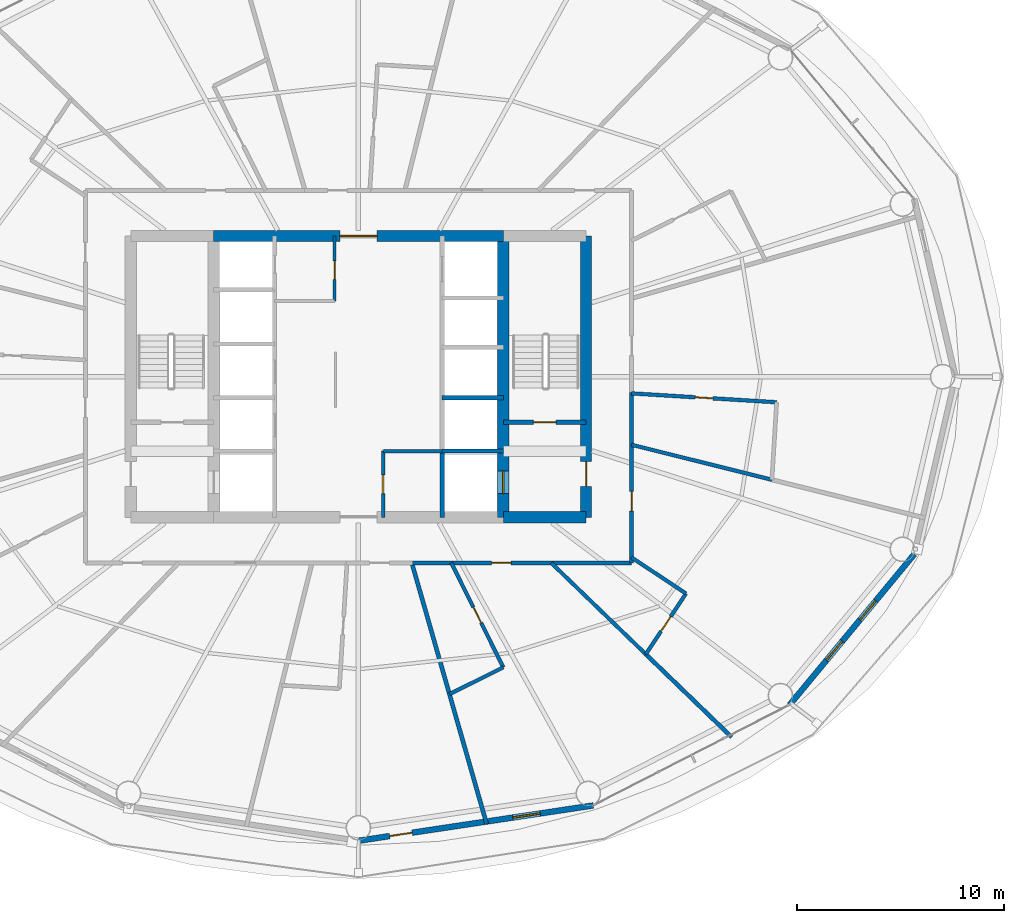
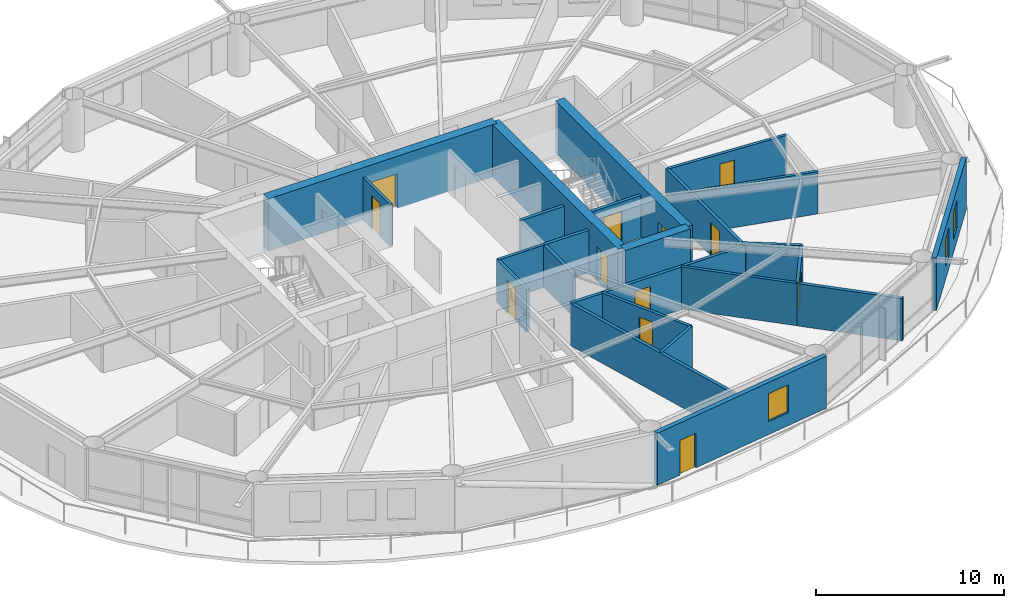
# One storey, part 19 of 24: 24 walls, 12 doors, 3 windows, 15 openings.
"""IFC4 building model written with IfcOpenShell, lengths in metres."""

from ifc_helpers import new_model, si_unit, direction, frame, frame_2d, origin, place, context, subcontext, project, spatial, rectangle, extrude, material, layer, layer_set, type_object, element, fill, save


model = new_model("IFC4")

# Units and contexts
model_context = context("Model", 3, precision=1e-05, world=origin(), true_north=direction((0.0, 1.0)))
body_context = subcontext(model_context, "Body", "Model", "MODEL_VIEW")
ifc_project = project(units=[si_unit("LENGTHUNIT", "METRE"), si_unit("AREAUNIT", "SQUARE_METRE"), si_unit("VOLUMEUNIT", "CUBIC_METRE"), si_unit("PLANEANGLEUNIT", "RADIAN"), si_unit("MASSUNIT", "GRAM", prefix="KILO")], contexts=[model_context])

# Site, building, storey
site_placement = place(None, origin())
site = spatial("IfcSite", under=ifc_project, at=site_placement, CompositionType="ELEMENT")
building_placement = place(site_placement, origin())
building = spatial("IfcBuilding", under=site, at=building_placement, Name="Sarneth Arch Tower", CompositionType="ELEMENT")
storey_placement = place(building_placement, frame((0.0, 0.0, 94.800048828125)))
storey = spatial("IfcBuildingStorey", under=building, at=storey_placement, Name="L23", CompositionType="ELEMENT", Elevation=94.800048828125)

# Wall
ifc_material_1 = material(Name="Concrete C60/75", Category="concrete")
ifc_layer_1 = layer(ifc_material_1, 0.550048828125)
ifc_layer_set_1 = layer_set([ifc_layer_1], Name="Concrete C60/75")
wall_type_1 = type_object("IfcWallType", Name="WALL-CORE-550", PredefinedType="SHEAR", material=ifc_layer_set_1)
wall_1_placement = place(storey_placement, frame((55.0, 35.199951171875, 0.0), z_axis=(0.0, 0.0, 1.0), x_axis=(1.0, 0.0, 0.0)))
element("IfcWall", 1, at=wall_1_placement, inside=storey, type_object=wall_type_1, Name="L23 Core shear wall S-E", PredefinedType="SHEAR", context=body_context, shape_type="SweptSolid", body=[
    extrude(rectangle(XDim=4.0, YDim=0.550048828125, at=frame_2d((2.0, 0.0))), origin(), (0.0, 0.0, 1.0), 3.3798828125),
])

# Wall, opening, door
wall_2_placement = place(storey_placement, frame((41.0, 48.800048828125, 0.0), z_axis=(0.0, 0.0, 1.0), x_axis=(1.0, 0.0, 0.0)))
wall_2 = element("IfcWall", 2, at=wall_2_placement, inside=storey, type_object=wall_type_1, Name="L23 Core shear wall N-M", PredefinedType="SHEAR", context=body_context, shape_type="SweptSolid", body=[
    extrude(rectangle(XDim=14.0, YDim=0.550048828125, at=frame_2d((7.0, 0.0))), origin(), (0.0, 0.0, 1.0), 3.3798828125),
])
opening_1_placement = place(wall_2_placement, frame((6.10009765625, 0.0, 0.0)))
opening_1 = element("IfcOpeningElement", 3, at=opening_1_placement, cuts=wall_2, Name="Opening FD-01", PredefinedType="OPENING", context=body_context, shape_type="SweptSolid", body=[
    extrude(rectangle(XDim=1.800048828125, YDim=2.25, at=frame_2d((0.89990234375, 1.125))), frame((0.0, 0.284912109375, 0.0), z_axis=(0.0, -1.0, 0.0), x_axis=(1.0, 0.0, 0.0)), (0.0, 0.0, 1.0), 0.570068359375),
])
ifc_material_2 = material(Name="Galvanised Steel S275 fire door set", Category="steel")
door_type_1 = type_object("IfcDoorType", Name="DR-FD90-1800", OperationType="DOUBLE_DOOR_SINGLE_SWING", PredefinedType="DOOR", material=ifc_material_2)
door_1_placement = place(opening_1_placement, origin())
door_1 = element("IfcDoor", 4, at=door_1_placement, inside=storey, type_object=door_type_1, Name="L23 Central lift lobby north door", OperationType="DOUBLE_DOOR_SINGLE_SWING", OverallHeight=2.25, OverallWidth=1.800048828125, PredefinedType="DOOR", context=body_context, shape_type="SweptSolid", body=[
    extrude(rectangle(XDim=1.800048828125, YDim=2.25, at=frame_2d((0.89990234375, 1.125))), frame((0.0, 0.02490234375, 0.0), z_axis=(0.0, -1.0, 0.0), x_axis=(1.0, 0.0, 0.0)), (0.0, 0.0, 1.0), 0.050048828125),
])
fill(opening_1, door_1)

wall_3_placement = place(storey_placement, frame((59.0, 35.199951171875, 0.0), z_axis=(0.0, 0.0, 1.0), x_axis=(0.0, 1.0, 0.0)))
wall_3 = element("IfcWall", 5, at=wall_3_placement, inside=storey, type_object=wall_type_1, Name="L23 Core shear wall E", PredefinedType="SHEAR", context=body_context, shape_type="SweptSolid", body=[
    extrude(rectangle(XDim=13.60009765625, YDim=0.550048828125, at=frame_2d((6.800048828125, 0.0))), origin(), (0.0, 0.0, 1.0), 3.3798828125),
])
opening_2_placement = place(wall_3_placement, frame((1.5, 0.0, 0.0)))
opening_2 = element("IfcOpeningElement", 6, at=opening_2_placement, cuts=wall_3, Name="Opening FD-02", PredefinedType="OPENING", context=body_context, shape_type="SweptSolid", body=[
    extrude(rectangle(XDim=1.199951171875, YDim=2.14990234375, at=frame_2d((0.60009765625, 1.074951171875))), frame((0.0, 0.284912109375, 0.0), z_axis=(0.0, -1.0, 0.0), x_axis=(1.0, 0.0, 0.0)), (0.0, 0.0, 1.0), 0.570068359375),
])
ifc_material_3 = material(Name="Galvanised Steel S275 fire door set", Category="steel")
door_type_2 = type_object("IfcDoorType", Name="DR-FD90-1200", OperationType="SINGLE_SWING_LEFT", PredefinedType="DOOR", material=ifc_material_3)
door_2_placement = place(opening_2_placement, origin())
door_2 = element("IfcDoor", 7, at=door_2_placement, inside=storey, type_object=door_type_2, Name="L23 Firefighting lobby 2 exit door", OperationType="SINGLE_SWING_RIGHT", OverallHeight=2.14990234375, OverallWidth=1.199951171875, PredefinedType="DOOR", context=body_context, shape_type="SweptSolid", body=[
    extrude(rectangle(XDim=1.199951171875, YDim=2.14990234375, at=frame_2d((0.60009765625, 1.074951171875))), frame((0.0, 0.02490234375, 0.0), z_axis=(0.0, -1.0, 0.0), x_axis=(1.0, 0.0, 0.0)), (0.0, 0.0, 1.0), 0.050048828125),
])
fill(opening_2, door_2)

wall_4_placement = place(storey_placement, frame((55.0, 35.199951171875, 0.0), z_axis=(0.0, 0.0, 1.0), x_axis=(0.0, 1.0, 0.0)))
wall_4 = element("IfcWall", 8, at=wall_4_placement, inside=storey, type_object=wall_type_1, Name="L23 Core shear wall WEB-E", PredefinedType="SHEAR", context=body_context, shape_type="SweptSolid", body=[
    extrude(rectangle(XDim=13.60009765625, YDim=0.550048828125, at=frame_2d((6.800048828125, 0.0))), origin(), (0.0, 0.0, 1.0), 3.3798828125),
])
opening_3_placement = place(wall_4_placement, frame((1.14990234375, 0.0, 0.0)))
opening_3 = element("IfcOpeningElement", 9, at=opening_3_placement, cuts=wall_4, Name="Opening LD-1", PredefinedType="OPENING", context=body_context, shape_type="SweptSolid", body=[
    extrude(rectangle(XDim=1.10009765625, YDim=2.199951171875, at=frame_2d((0.550048828125, 1.10009765625))), frame((0.0, 0.284912109375, 0.0), z_axis=(0.0, -1.0, 0.0), x_axis=(1.0, 0.0, 0.0)), (0.0, 0.0, 1.0), 0.570068359375),
])
ifc_material_4 = material(Name="Brushed Stainless Steel 304 lift landing door", Category="steel")
door_type_3 = type_object("IfcDoorType", Name="DR-LIFT-SLIDE-1100", OperationType="SLIDING_TO_LEFT", PredefinedType="DOOR", material=ifc_material_4)
door_3_placement = place(opening_3_placement, origin())
door_3 = element("IfcDoor", 10, at=door_3_placement, inside=storey, type_object=door_type_3, Name="L23 Firefighting lift landing door FL-2", OperationType="SLIDING_TO_RIGHT", OverallHeight=2.199951171875, OverallWidth=1.10009765625, PredefinedType="DOOR", context=body_context, shape_type="SweptSolid", body=[
    extrude(rectangle(XDim=1.10009765625, YDim=2.199951171875, at=frame_2d((0.550048828125, 1.10009765625))), frame((0.0, 0.02490234375, 0.0), z_axis=(0.0, -1.0, 0.0), x_axis=(1.0, 0.0, 0.0)), (0.0, 0.0, 1.0), 0.050048828125),
])
fill(opening_3, door_3)

ifc_material_5 = material(Name="Double steel-stud corridor fire wall", Category="steel")
ifc_layer_2 = layer(ifc_material_5, 0.18994140625)
ifc_layer_set_2 = layer_set([ifc_layer_2], Name="Double steel-stud corridor fire wall")
wall_type_2 = type_object("IfcWallType", Name="WALL-CORR-190", PredefinedType="PARTITIONING", material=ifc_layer_set_2)
wall_5_placement = place(storey_placement, frame((61.199951171875, 41.224853515625, 0.0), z_axis=(0.0, 0.0, 1.0), x_axis=(0.0, -1.0, 0.0)))
wall_5 = element("IfcWall", 11, at=wall_5_placement, inside=storey, type_object=wall_type_2, Name="L23 Interior partition W-L23-TP-022", PredefinedType="PARTITIONING", context=body_context, shape_type="SweptSolid", body=[
    extrude(rectangle(XDim=8.224853515625, YDim=0.18994140625, at=frame_2d((4.1123046875, 0.0))), origin(), (0.0, 0.0, 1.0), 2.739990234375),
])
opening_4_placement = place(wall_5_placement, frame((4.7666015625, 0.0, 0.0)))
opening_4 = element("IfcOpeningElement", 12, at=opening_4_placement, cuts=wall_5, Name="Opening FD-09", PredefinedType="OPENING", context=body_context, shape_type="SweptSolid", body=[
    extrude(rectangle(XDim=0.949951171875, YDim=2.14990234375, at=frame_2d((0.47509765625, 1.074951171875))), frame((0.0, 0.10498046875, 0.0), z_axis=(0.0, -1.0, 0.0), x_axis=(1.0, 0.0, 0.0)), (0.0, 0.0, 1.0), 0.2099609375),
])
ifc_material_6 = material(Name="Hardwood timber hotel entrance fire door", Category="wood")
door_type_4 = type_object("IfcDoorType", Name="DR-FD60-950", OperationType="SINGLE_SWING_RIGHT", PredefinedType="DOOR", material=ifc_material_6)
door_4_placement = place(opening_4_placement, origin())
door_4 = element("IfcDoor", 13, at=door_4_placement, inside=storey, type_object=door_type_4, Name="L23 Interior door DR-L23-KEY-11", OperationType="SINGLE_SWING_RIGHT", OverallHeight=2.14990234375, OverallWidth=0.949951171875, PredefinedType="DOOR", context=body_context, shape_type="SweptSolid", body=[
    extrude(rectangle(XDim=0.949951171875, YDim=2.14990234375, at=frame_2d((0.47509765625, 1.074951171875))), frame((0.0, 0.02490234375, 0.0), z_axis=(0.0, -1.0, 0.0), x_axis=(1.0, 0.0, 0.0)), (0.0, 0.0, 1.0), 0.050048828125),
])
fill(opening_4, door_4)

wall_6_placement = place(storey_placement, frame((61.199951171875, 33.0, 0.0), z_axis=(0.0, 0.0, 1.0), x_axis=(-1.0, 0.0, 0.0)))
wall_6 = element("IfcWall", 14, at=wall_6_placement, inside=storey, type_object=wall_type_2, Name="L23 Interior partition W-L23-TP-020", PredefinedType="PARTITIONING", context=body_context, shape_type="SweptSolid", body=[
    extrude(rectangle(XDim=10.652587890625, YDim=0.18994140625, at=frame_2d((5.326171875, 0.0))), origin(), (0.0, 0.0, 1.0), 2.739990234375),
])
opening_5_placement = place(wall_6_placement, frame((5.81640625, 0.0, 0.0)))
opening_5 = element("IfcOpeningElement", 15, at=opening_5_placement, cuts=wall_6, Name="Opening FD-09", PredefinedType="OPENING", context=body_context, shape_type="SweptSolid", body=[
    extrude(rectangle(XDim=0.949951171875, YDim=2.14990234375, at=frame_2d((0.47509765625, 1.074951171875))), frame((0.0, 0.10498046875, 0.0), z_axis=(0.0, -1.0, 0.0), x_axis=(1.0, 0.0, 0.0)), (0.0, 0.0, 1.0), 0.2099609375),
])
door_5_placement = place(opening_5_placement, origin())
door_5 = element("IfcDoor", 16, at=door_5_placement, inside=storey, type_object=door_type_4, Name="L23 Interior door DR-L23-KEY-10", OperationType="SINGLE_SWING_RIGHT", OverallHeight=2.14990234375, OverallWidth=0.949951171875, PredefinedType="DOOR", context=body_context, shape_type="SweptSolid", body=[
    extrude(rectangle(XDim=0.949951171875, YDim=2.14990234375, at=frame_2d((0.47509765625, 1.074951171875))), frame((0.0, 0.02490234375, 0.0), z_axis=(0.0, -1.0, 0.0), x_axis=(1.0, 0.0, 0.0)), (0.0, 0.0, 1.0), 0.050048828125),
])
fill(opening_5, door_5)

# Wall, openings, door, window
ifc_material_7 = material(Name="Extruded terracotta rainscreen on Concrete C40/50 backing", Category="masonry")
ifc_layer_3 = layer(ifc_material_7, 0.280029296875)
ifc_layer_set_3 = layer_set([ifc_layer_3], Name="Extruded terracotta rainscreen on Concrete C40/50 backing")
wall_type_3 = type_object("IfcWallType", Name="WALL-EXT-TERRA-280", PredefinedType="SOLIDWALL", material=ifc_layer_set_3)
wall_7_placement = place(storey_placement, frame((48.0, 19.570068359375, 0.0), z_axis=(0.0, 0.0, 1.0), x_axis=(0.988877774656, 0.148730450117, 0.0)))
wall_7 = element("IfcWall", 17, at=wall_7_placement, inside=storey, type_object=wall_type_3, Name="L23 Terracotta perimeter wall 13", PredefinedType="SOLIDWALL", context=body_context, shape_type="SweptSolid", body=[
    extrude(rectangle(XDim=11.47900390625, YDim=0.280029296875, at=frame_2d((5.739501953125, 0.0))), origin(), (0.0, 0.0, 1.0), 3.3798828125),
])
opening_6_placement = place(wall_7_placement, frame((1.523681640625, 0.0, 0.0)))
opening_6 = element("IfcOpeningElement", 18, at=opening_6_placement, cuts=wall_7, Name="Opening BD-3", PredefinedType="OPENING", context=body_context, shape_type="SweptSolid", body=[
    extrude(rectangle(XDim=1.10009765625, YDim=2.25, at=frame_2d((0.550048828125, 1.125))), frame((0.0, 0.14990234375, 0.0), z_axis=(0.0, -1.0, 0.0), x_axis=(1.0, 0.0, 0.0)), (0.0, 0.0, 1.0), 0.300048828125),
])
opening_7_placement = place(wall_7_placement, frame((7.5390625, 0.0, 0.85009765625)))
opening_7 = element("IfcOpeningElement", 19, at=opening_7_placement, cuts=wall_7, Name="Opening W-08", PredefinedType="OPENING", context=body_context, shape_type="SweptSolid", body=[
    extrude(rectangle(XDim=1.35009765625, YDim=1.800048828125, at=frame_2d((0.675048828125, 0.89990234375))), frame((0.0, 0.14990234375, 0.0), z_axis=(0.0, -1.0, 0.0), x_axis=(1.0, 0.0, 0.0)), (0.0, 0.0, 1.0), 0.300048828125),
])
ifc_material_8 = material(Name="Thermally broken Aluminium 6063-T6 and laminated safety glass", Category="aluminium")
door_type_5 = type_object("IfcDoorType", Name="DR-BALC-GLZ-1100", OperationType="SINGLE_SWING_LEFT", PredefinedType="DOOR", material=ifc_material_8)
door_6_placement = place(opening_6_placement, origin())
door_6 = element("IfcDoor", 20, at=door_6_placement, inside=storey, type_object=door_type_5, Name="L23 Balcony glazed door 13", OperationType="SINGLE_SWING_LEFT", OverallHeight=2.25, OverallWidth=1.10009765625, PredefinedType="DOOR", context=body_context, shape_type="SweptSolid", body=[
    extrude(rectangle(XDim=1.10009765625, YDim=2.25, at=frame_2d((0.550048828125, 1.125))), frame((0.0, 0.02490234375, 0.0), z_axis=(0.0, -1.0, 0.0), x_axis=(1.0, 0.0, 0.0)), (0.0, 0.0, 1.0), 0.050048828125),
])
fill(opening_6, door_6)
ifc_material_9 = material(Name="Thermally broken Aluminium 6063-T6 and low-e laminated IGU", Category="aluminium")
window_type_1 = type_object("IfcWindowType", Name="WIN-TWR-1350x1800", PartitioningType="SINGLE_PANEL", PredefinedType="WINDOW", material=ifc_material_9)
window_1_placement = place(opening_7_placement, origin())
window_1 = element("IfcWindow", 21, at=window_1_placement, inside=storey, type_object=window_type_1, Name="L23 Exterior window 13A", OverallHeight=1.800048828125, OverallWidth=1.35009765625, PartitioningType="SINGLE_PANEL", PredefinedType="WINDOW", context=body_context, shape_type="SweptSolid", body=[
    extrude(rectangle(XDim=1.35009765625, YDim=1.800048828125, at=frame_2d((0.675048828125, 0.89990234375))), frame((0.0, 0.030029296875, 0.0), z_axis=(0.0, -1.0, 0.0), x_axis=(1.0, 0.0, 0.0)), (0.0, 0.0, 1.0), 0.06005859375),
])
fill(opening_7, window_1)

# Wall, openings, windows
wall_8_placement = place(storey_placement, frame((68.840087890625, 26.1396484375, 0.0), z_axis=(0.0, 0.0, 1.0), x_axis=(0.637505817448, 0.770445541696, 0.0)))
wall_8 = element("IfcWall", 22, at=wall_8_placement, inside=storey, type_object=wall_type_3, Name="L23 Terracotta perimeter wall 15", PredefinedType="SOLIDWALL", context=body_context, shape_type="SweptSolid", body=[
    extrude(rectangle(XDim=9.445068359375, YDim=0.280029296875, at=frame_2d((4.72265625, 0.0))), origin(), (0.0, 0.0, 1.0), 3.3798828125),
])
opening_8_placement = place(wall_8_placement, frame((2.796630859375, 0.0, 0.85009765625)))
opening_8 = element("IfcOpeningElement", 23, at=opening_8_placement, cuts=wall_8, Name="Opening W-09", PredefinedType="OPENING", context=body_context, shape_type="SweptSolid", body=[
    extrude(rectangle(XDim=1.199951171875, YDim=1.800048828125, at=frame_2d((0.60009765625, 0.89990234375))), frame((0.0, 0.14990234375, 0.0), z_axis=(0.0, -1.0, 0.0), x_axis=(1.0, 0.0, 0.0)), (0.0, 0.0, 1.0), 0.300048828125),
])
opening_9_placement = place(wall_8_placement, frame((5.331787109375, 0.0, 0.85009765625)))
opening_9 = element("IfcOpeningElement", 24, at=opening_9_placement, cuts=wall_8, Name="Opening W-09", PredefinedType="OPENING", context=body_context, shape_type="SweptSolid", body=[
    extrude(rectangle(XDim=1.199951171875, YDim=1.800048828125, at=frame_2d((0.60009765625, 0.89990234375))), frame((0.0, 0.14990234375, 0.0), z_axis=(0.0, -1.0, 0.0), x_axis=(1.0, 0.0, 0.0)), (0.0, 0.0, 1.0), 0.300048828125),
])
ifc_material_10 = material(Name="Thermally broken Aluminium 6063-T6 and low-e laminated IGU", Category="aluminium")
window_type_2 = type_object("IfcWindowType", Name="WIN-TWR-1200x1800", PartitioningType="SINGLE_PANEL", PredefinedType="WINDOW", material=ifc_material_10)
window_2_placement = place(opening_8_placement, origin())
window_2 = element("IfcWindow", 25, at=window_2_placement, inside=storey, type_object=window_type_2, Name="L23 Exterior window 15A", OverallHeight=1.800048828125, OverallWidth=1.199951171875, PartitioningType="SINGLE_PANEL", PredefinedType="WINDOW", context=body_context, shape_type="SweptSolid", body=[
    extrude(rectangle(XDim=1.199951171875, YDim=1.800048828125, at=frame_2d((0.60009765625, 0.89990234375))), frame((0.0, 0.030029296875, 0.0), z_axis=(0.0, -1.0, 0.0), x_axis=(1.0, 0.0, 0.0)), (0.0, 0.0, 1.0), 0.06005859375),
])
fill(opening_8, window_2)
window_3_placement = place(opening_9_placement, origin())
window_3 = element("IfcWindow", 26, at=window_3_placement, inside=storey, type_object=window_type_2, Name="L23 Exterior window 15B", OverallHeight=1.800048828125, OverallWidth=1.199951171875, PartitioningType="SINGLE_PANEL", PredefinedType="WINDOW", context=body_context, shape_type="SweptSolid", body=[
    extrude(rectangle(XDim=1.199951171875, YDim=1.800048828125, at=frame_2d((0.60009765625, 0.89990234375))), frame((0.0, 0.030029296875, 0.0), z_axis=(0.0, -1.0, 0.0), x_axis=(1.0, 0.0, 0.0)), (0.0, 0.0, 1.0), 0.06005859375),
])
fill(opening_9, window_3)

# Wall, opening, door
ifc_material_11 = material(Name="Acoustic gypsum stud partition", Category="gypsum")
ifc_layer_4 = layer(ifc_material_11, 0.14990234375)
ifc_layer_set_4 = layer_set([ifc_layer_4], Name="Acoustic gypsum stud partition")
wall_type_4 = type_object("IfcWallType", Name="WALL-PART-150", PredefinedType="PARTITIONING", material=ifc_layer_set_4)
wall_9_placement = place(storey_placement, frame((46.85009765625, 45.64990234375, 0.0), z_axis=(0.0, 0.0, 1.0), x_axis=(0.0, 1.0, 0.0)))
wall_9 = element("IfcWall", 27, at=wall_9_placement, inside=storey, type_object=wall_type_4, Name="L23 Interior partition W-L23-CSUP1-E", PredefinedType="PARTITIONING", context=body_context, shape_type="SweptSolid", body=[
    extrude(rectangle(XDim=3.150146484375, YDim=0.14990234375, at=frame_2d((1.5751953125, 0.0))), origin(), (0.0, 0.0, 1.0), 2.739990234375),
])
opening_10_placement = place(wall_9_placement, frame((1.050048828125, 0.0, 0.0)))
opening_10 = element("IfcOpeningElement", 28, at=opening_10_placement, cuts=wall_9, Name="Opening FD-10", PredefinedType="OPENING", context=body_context, shape_type="SweptSolid", body=[
    extrude(rectangle(XDim=0.89990234375, YDim=2.14990234375, at=frame_2d((0.449951171875, 1.074951171875))), frame((0.0, 0.0849609375, 0.0), z_axis=(0.0, -1.0, 0.0), x_axis=(1.0, 0.0, 0.0)), (0.0, 0.0, 1.0), 0.169921875),
])
ifc_material_12 = material(Name="Galvanised Steel S275 riser/service fire door", Category="steel")
door_type_6 = type_object("IfcDoorType", Name="DR-FD60-900", OperationType="SINGLE_SWING_LEFT", PredefinedType="DOOR", material=ifc_material_12)
door_7_placement = place(opening_10_placement, origin())
door_7 = element("IfcDoor", 29, at=door_7_placement, inside=storey, type_object=door_type_6, Name="L23 Interior door DR-L23-CSUP1", OperationType="SINGLE_SWING_LEFT", OverallHeight=2.14990234375, OverallWidth=0.89990234375, PredefinedType="DOOR", context=body_context, shape_type="SweptSolid", body=[
    extrude(rectangle(XDim=0.89990234375, YDim=2.14990234375, at=frame_2d((0.449951171875, 1.074951171875))), frame((0.0, 0.02490234375, 0.0), z_axis=(0.0, -1.0, 0.0), x_axis=(1.0, 0.0, 0.0)), (0.0, 0.0, 1.0), 0.050048828125),
])
fill(opening_10, door_7)

# Wall
ifc_material_13 = material(Name="Moisture-resistant plumbing chase wall", Category="gypsum")
ifc_layer_5 = layer(ifc_material_13, 0.179931640625)
ifc_layer_set_5 = layer_set([ifc_layer_5], Name="Moisture-resistant plumbing chase wall")
wall_type_5 = type_object("IfcWallType", Name="WALL-PLUMB-180", PredefinedType="PLUMBINGWALL", material=ifc_layer_set_5)
wall_10_placement = place(storey_placement, frame((49.199951171875, 38.39990234375, 0.0), z_axis=(0.0, 0.0, 1.0), x_axis=(1.0, 0.0, 0.0)))
element("IfcWall", 30, at=wall_10_placement, inside=storey, type_object=wall_type_5, Name="L23 Interior partition W-L23-AWC-N", PredefinedType="PLUMBINGWALL", context=body_context, shape_type="SweptSolid", body=[
    extrude(rectangle(XDim=2.85009765625, YDim=0.179931640625, at=frame_2d((1.425048828125, 0.0))), origin(), (0.0, 0.0, 1.0), 2.739990234375),
])

# Wall, opening, door
wall_11_placement = place(storey_placement, frame((49.199951171875, 35.199951171875, 0.0), z_axis=(0.0, 0.0, 1.0), x_axis=(0.0, 1.0, 0.0)))
wall_11 = element("IfcWall", 31, at=wall_11_placement, inside=storey, type_object=wall_type_5, Name="L23 Interior partition W-L23-AWC-W", PredefinedType="PLUMBINGWALL", context=body_context, shape_type="SweptSolid", body=[
    extrude(rectangle(XDim=3.199951171875, YDim=0.179931640625, at=frame_2d((1.60009765625, 0.0))), origin(), (0.0, 0.0, 1.0), 2.739990234375),
])
opening_11_placement = place(wall_11_placement, frame((1.14990234375, 0.0, 0.0)))
opening_11 = element("IfcOpeningElement", 32, at=opening_11_placement, cuts=wall_11, Name="Opening ID-01", PredefinedType="OPENING", context=body_context, shape_type="SweptSolid", body=[
    extrude(rectangle(XDim=0.89990234375, YDim=2.10009765625, at=frame_2d((0.449951171875, 1.050048828125))), frame((0.0, 0.099853515625, 0.0), z_axis=(0.0, -1.0, 0.0), x_axis=(1.0, 0.0, 0.0)), (0.0, 0.0, 1.0), 0.199951171875),
])
ifc_material_14 = material(Name="Engineered hardwood flush door", Category="wood")
door_type_7 = type_object("IfcDoorType", Name="DR-INT-900", OperationType="SINGLE_SWING_LEFT", PredefinedType="DOOR", material=ifc_material_14)
door_8_placement = place(opening_11_placement, origin())
door_8 = element("IfcDoor", 33, at=door_8_placement, inside=storey, type_object=door_type_7, Name="L23 Interior door DR-L23-AWC", OperationType="SINGLE_SWING_RIGHT", OverallHeight=2.10009765625, OverallWidth=0.89990234375, PredefinedType="DOOR", context=body_context, shape_type="SweptSolid", body=[
    extrude(rectangle(XDim=0.89990234375, YDim=2.10009765625, at=frame_2d((0.449951171875, 1.050048828125))), frame((0.0, 0.02490234375, 0.0), z_axis=(0.0, -1.0, 0.0), x_axis=(1.0, 0.0, 0.0)), (0.0, 0.0, 1.0), 0.050048828125),
])
fill(opening_11, door_8)

wall_12_placement = place(storey_placement, frame((61.199951171875, 41.192626953125, 0.0), z_axis=(0.0, 0.0, 1.0), x_axis=(0.998134708281, -0.061050013314, 0.0)))
wall_12 = element("IfcWall", 34, at=wall_12_placement, inside=storey, type_object=wall_type_5, Name="L23 Interior partition W-L23-TP-067", PredefinedType="PLUMBINGWALL", context=body_context, shape_type="SweptSolid", body=[
    extrude(rectangle(XDim=7.0263671875, YDim=0.179931640625, at=frame_2d((3.51318359375, 0.0))), origin(), (0.0, 0.0, 1.0), 2.739990234375),
])
opening_12_placement = place(wall_12_placement, frame((3.088134765625, 0.0, 0.0)))
opening_12 = element("IfcOpeningElement", 35, at=opening_12_placement, cuts=wall_12, Name="Opening ID-02", PredefinedType="OPENING", context=body_context, shape_type="SweptSolid", body=[
    extrude(rectangle(XDim=0.85009765625, YDim=2.10009765625, at=frame_2d((0.425048828125, 1.050048828125))), frame((0.0, 0.099853515625, 0.0), z_axis=(0.0, -1.0, 0.0), x_axis=(1.0, 0.0, 0.0)), (0.0, 0.0, 1.0), 0.199951171875),
])
ifc_material_15 = material(Name="Moisture-resistant bathroom timber door", Category="wood")
door_type_8 = type_object("IfcDoorType", Name="DR-INT-850", OperationType="SINGLE_SWING_RIGHT", PredefinedType="DOOR", material=ifc_material_15)
door_9_placement = place(opening_12_placement, origin())
door_9 = element("IfcDoor", 36, at=door_9_placement, inside=storey, type_object=door_type_8, Name="L23 Interior door DR-L23-ENS-12", OperationType="SINGLE_SWING_LEFT", OverallHeight=2.10009765625, OverallWidth=0.85009765625, PredefinedType="DOOR", context=body_context, shape_type="SweptSolid", body=[
    extrude(rectangle(XDim=0.85009765625, YDim=2.10009765625, at=frame_2d((0.425048828125, 1.050048828125))), frame((0.0, 0.02490234375, 0.0), z_axis=(0.0, -1.0, 0.0), x_axis=(1.0, 0.0, 0.0)), (0.0, 0.0, 1.0), 0.050048828125),
])
fill(opening_12, door_9)

# Walls
wall_13_placement = place(storey_placement, frame((67.984130859375, 37.017333984375, 0.0), z_axis=(0.0, 0.0, 1.0), x_axis=(-0.970290206094, 0.241944034764, 0.0)))
element("IfcWall", 37, at=wall_13_placement, inside=storey, type_object=wall_type_5, Name="L23 Interior partition W-L23-TP-066", PredefinedType="PLUMBINGWALL", context=body_context, shape_type="SweptSolid", body=[
    extrude(rectangle(XDim=6.991943359375, YDim=0.179931640625, at=frame_2d((3.49609375, 0.0))), origin(), (0.0, 0.0, 1.0), 2.739990234375),
])
wall_14_placement = place(storey_placement, frame((61.888916015625, 28.58740234375, 0.0), z_axis=(0.0, 0.0, 1.0), x_axis=(-0.719318009274, 0.694680935059, 0.0)))
element("IfcWall", 38, at=wall_14_placement, inside=storey, type_object=wall_type_5, Name="L23 Interior partition W-L23-TP-062", PredefinedType="PLUMBINGWALL", context=body_context, shape_type="SweptSolid", body=[
    extrude(rectangle(XDim=6.35205078125, YDim=0.179931640625, at=frame_2d((3.176025390625, 0.0))), origin(), (0.0, 0.0, 1.0), 2.739990234375),
])

# Wall, opening, door
wall_15_placement = place(storey_placement, frame((55.00341796875, 27.953125, 0.0), z_axis=(0.0, 0.0, 1.0), x_axis=(-0.446174269641, 0.894946099556, 0.0)))
wall_15 = element("IfcWall", 39, at=wall_15_placement, inside=storey, type_object=wall_type_5, Name="L23 Interior partition W-L23-TP-060", PredefinedType="PLUMBINGWALL", context=body_context, shape_type="SweptSolid", body=[
    extrude(rectangle(XDim=5.639404296875, YDim=0.179931640625, at=frame_2d((2.81982421875, 0.0))), origin(), (0.0, 0.0, 1.0), 2.739990234375),
])
opening_13_placement = place(wall_15_placement, frame((2.394775390625, 0.0, 0.0)))
opening_13 = element("IfcOpeningElement", 40, at=opening_13_placement, cuts=wall_15, Name="Opening ID-02", PredefinedType="OPENING", context=body_context, shape_type="SweptSolid", body=[
    extrude(rectangle(XDim=0.85009765625, YDim=2.10009765625, at=frame_2d((0.425048828125, 1.050048828125))), frame((0.0, 0.099853515625, 0.0), z_axis=(0.0, -1.0, 0.0), x_axis=(1.0, 0.0, 0.0)), (0.0, 0.0, 1.0), 0.199951171875),
])
door_10_placement = place(opening_13_placement, origin())
door_10 = element("IfcDoor", 41, at=door_10_placement, inside=storey, type_object=door_type_8, Name="L23 Interior door DR-L23-ENS-10", OperationType="SINGLE_SWING_LEFT", OverallHeight=2.10009765625, OverallWidth=0.85009765625, PredefinedType="DOOR", context=body_context, shape_type="SweptSolid", body=[
    extrude(rectangle(XDim=0.85009765625, YDim=2.10009765625, at=frame_2d((0.425048828125, 1.050048828125))), frame((0.0, 0.02490234375, 0.0), z_axis=(0.0, -1.0, 0.0), x_axis=(1.0, 0.0, 0.0)), (0.0, 0.0, 1.0), 0.050048828125),
])
fill(opening_13, door_10)

wall_16_placement = place(storey_placement, frame((63.8310546875, 31.521484375, 0.0), z_axis=(0.0, 0.0, 1.0), x_axis=(-0.551959146688, -0.833871153349, 0.0)))
wall_16 = element("IfcWall", 42, at=wall_16_placement, inside=storey, type_object=wall_type_5, Name="L23 Interior partition W-L23-TP-064", PredefinedType="PLUMBINGWALL", context=body_context, shape_type="SweptSolid", body=[
    extrude(rectangle(XDim=3.5185546875, YDim=0.179931640625, at=frame_2d((1.75927734375, 0.0))), origin(), (0.0, 0.0, 1.0), 2.739990234375),
])
opening_14_placement = place(wall_16_placement, frame((1.334228515625, 0.0, 0.0)))
opening_14 = element("IfcOpeningElement", 43, at=opening_14_placement, cuts=wall_16, Name="Opening ID-02", PredefinedType="OPENING", context=body_context, shape_type="SweptSolid", body=[
    extrude(rectangle(XDim=0.85009765625, YDim=2.10009765625, at=frame_2d((0.425048828125, 1.050048828125))), frame((0.0, 0.099853515625, 0.0), z_axis=(0.0, -1.0, 0.0), x_axis=(1.0, 0.0, 0.0)), (0.0, 0.0, 1.0), 0.199951171875),
])
door_11_placement = place(opening_14_placement, origin())
door_11 = element("IfcDoor", 44, at=door_11_placement, inside=storey, type_object=door_type_8, Name="L23 Interior door DR-L23-ENS-11", OperationType="SINGLE_SWING_LEFT", OverallHeight=2.10009765625, OverallWidth=0.85009765625, PredefinedType="DOOR", context=body_context, shape_type="SweptSolid", body=[
    extrude(rectangle(XDim=0.85009765625, YDim=2.10009765625, at=frame_2d((0.425048828125, 1.050048828125))), frame((0.0, 0.02490234375, 0.0), z_axis=(0.0, -1.0, 0.0), x_axis=(1.0, 0.0, 0.0)), (0.0, 0.0, 1.0), 0.050048828125),
])
fill(opening_14, door_11)

# Walls
wall_17_placement = place(storey_placement, frame((61.199951171875, 33.26318359375, 0.0), z_axis=(0.0, 0.0, 1.0), x_axis=(0.833855219674, -0.5519832177, 0.0)))
element("IfcWall", 45, at=wall_17_placement, inside=storey, type_object=wall_type_5, Name="L23 Interior partition W-L23-TP-063", PredefinedType="PLUMBINGWALL", context=body_context, shape_type="SweptSolid", body=[
    extrude(rectangle(XDim=3.1552734375, YDim=0.179931640625, at=frame_2d((1.57763671875, 0.0))), origin(), (0.0, 0.0, 1.0), 2.739990234375),
])
wall_18_placement = place(storey_placement, frame((52.400146484375, 26.655029296875, 0.0), z_axis=(0.0, 0.0, 1.0), x_axis=(0.894913437672, 0.446239777558, 0.0)))
element("IfcWall", 46, at=wall_18_placement, inside=storey, type_object=wall_type_5, Name="L23 Interior partition W-L23-TP-059", PredefinedType="PLUMBINGWALL", context=body_context, shape_type="SweptSolid", body=[
    extrude(rectangle(XDim=2.908935546875, YDim=0.179931640625, at=frame_2d((1.45458984375, 0.0))), origin(), (0.0, 0.0, 1.0), 2.739990234375),
])

# Wall, opening, door
ifc_material_16 = material(Name="Aerated concrete blockwork C25/30", Category="masonry")
ifc_layer_6 = layer(ifc_material_16, 0.199951171875)
ifc_layer_set_6 = layer_set([ifc_layer_6], Name="Aerated concrete blockwork C25/30")
wall_type_6 = type_object("IfcWallType", Name="WALL-SHAFT-200", PredefinedType="SOLIDWALL", material=ifc_layer_set_6)
wall_19_placement = place(storey_placement, frame((55.0, 39.800048828125, 0.0), z_axis=(0.0, 0.0, 1.0), x_axis=(1.0, 0.0, 0.0)))
wall_19 = element("IfcWall", 47, at=wall_19_placement, inside=storey, type_object=wall_type_6, Name="L23 Interior partition W-L23-ST2-S", PredefinedType="SOLIDWALL", context=body_context, shape_type="SweptSolid", body=[
    extrude(rectangle(XDim=4.0, YDim=0.199951171875, at=frame_2d((2.0, 0.0))), origin(), (0.0, 0.0, 1.0), 2.739990234375),
])
opening_15_placement = place(wall_19_placement, frame((1.449951171875, 0.0, 0.0)))
opening_15 = element("IfcOpeningElement", 48, at=opening_15_placement, cuts=wall_19, Name="Opening FD-03", PredefinedType="OPENING", context=body_context, shape_type="SweptSolid", body=[
    extrude(rectangle(XDim=1.10009765625, YDim=2.14990234375, at=frame_2d((0.550048828125, 1.074951171875))), frame((0.0, 0.10986328125, 0.0), z_axis=(0.0, -1.0, 0.0), x_axis=(1.0, 0.0, 0.0)), (0.0, 0.0, 1.0), 0.219970703125),
])
ifc_material_17 = material(Name="Galvanised Steel S275 fire door set", Category="steel")
door_type_9 = type_object("IfcDoorType", Name="DR-FD90-1100", OperationType="SINGLE_SWING_LEFT", PredefinedType="DOOR", material=ifc_material_17)
door_12_placement = place(opening_15_placement, origin())
door_12 = element("IfcDoor", 49, at=door_12_placement, inside=storey, type_object=door_type_9, Name="L23 Interior door DR-L23-ST2", OperationType="SINGLE_SWING_RIGHT", OverallHeight=2.14990234375, OverallWidth=1.10009765625, PredefinedType="DOOR", context=body_context, shape_type="SweptSolid", body=[
    extrude(rectangle(XDim=1.10009765625, YDim=2.14990234375, at=frame_2d((0.550048828125, 1.074951171875))), frame((0.0, 0.02490234375, 0.0), z_axis=(0.0, -1.0, 0.0), x_axis=(1.0, 0.0, 0.0)), (0.0, 0.0, 1.0), 0.050048828125),
])
fill(opening_15, door_12)

# Walls
wall_20_placement = place(storey_placement, frame((52.050048828125, 35.199951171875, 0.0), z_axis=(0.0, 0.0, 1.0), x_axis=(0.0, 1.0, 0.0)))
element("IfcWall", 50, at=wall_20_placement, inside=storey, type_object=wall_type_6, Name="L23 Interior partition W-L23-FL2-W", PredefinedType="SOLIDWALL", context=body_context, shape_type="SweptSolid", body=[
    extrude(rectangle(XDim=3.199951171875, YDim=0.199951171875, at=frame_2d((1.60009765625, 0.0))), origin(), (0.0, 0.0, 1.0), 2.739990234375),
])
for number, where, z_axis, x_axis, name in (
    (51, (52.050048828125, 38.39990234375, 0.0), (0.0, 0.0, 1.0), (1.0, 0.0, 0.0), "L23 Interior partition W-L23-FL2-N"),
    (52, (52.050048828125, 40.97998046875, 0.0), (0.0, 0.0, 1.0), (1.0, 0.0, 0.0), "L23 Interior partition W-L23-EB-DIV-4098"),
):
    element("IfcWall", number, at=place(storey_placement, frame(where, z_axis=z_axis, x_axis=x_axis)), inside=storey, type_object=wall_type_6, Name=name, PredefinedType="SOLIDWALL", context=body_context, shape_type="SweptSolid", body=[
        extrude(rectangle(XDim=2.949951171875, YDim=0.199951171875, at=frame_2d((1.47509765625, 0.0))), origin(), (0.0, 0.0, 1.0), 2.739990234375),
    ])
ifc_material_18 = material(Name="Double steel-stud acoustic drywall", Category="steel")
ifc_layer_7 = layer(ifc_material_18, 0.199951171875)
ifc_layer_set_7 = layer_set([ifc_layer_7], Name="Double steel-stud acoustic drywall")
wall_type_7 = type_object("IfcWallType", Name="WALL-UNIT-200", PredefinedType="PARTITIONING", material=ifc_layer_set_7)
wall_21_placement = place(storey_placement, frame((50.580810546875, 33.0, 0.0), z_axis=(0.0, 0.0, 1.0), x_axis=(0.275639731411, -0.961261014745, 0.0)))
element("IfcWall", 53, at=wall_21_placement, inside=storey, type_object=wall_type_7, Name="L23 Interior partition W-L23-TP-058", PredefinedType="PARTITIONING", context=body_context, shape_type="SweptSolid", body=[
    extrude(rectangle(XDim=13.12646484375, YDim=0.199951171875, at=frame_2d((6.563232421875, 0.0))), origin(), (0.0, 0.0, 1.0), 2.739990234375),
])
wall_22_placement = place(storey_placement, frame((66.041259765625, 24.577880859375, 0.0), z_axis=(0.0, 0.0, 1.0), x_axis=(-0.719370121813, 0.694626970281, 0.0)))
element("IfcWall", 54, at=wall_22_placement, inside=storey, type_object=wall_type_7, Name="L23 Interior partition W-L23-TP-061", PredefinedType="PARTITIONING", context=body_context, shape_type="SweptSolid", body=[
    extrude(rectangle(XDim=5.772216796875, YDim=0.199951171875, at=frame_2d((2.88623046875, 0.0))), origin(), (0.0, 0.0, 1.0), 2.739990234375),
])

save(model, "model.ifc")
